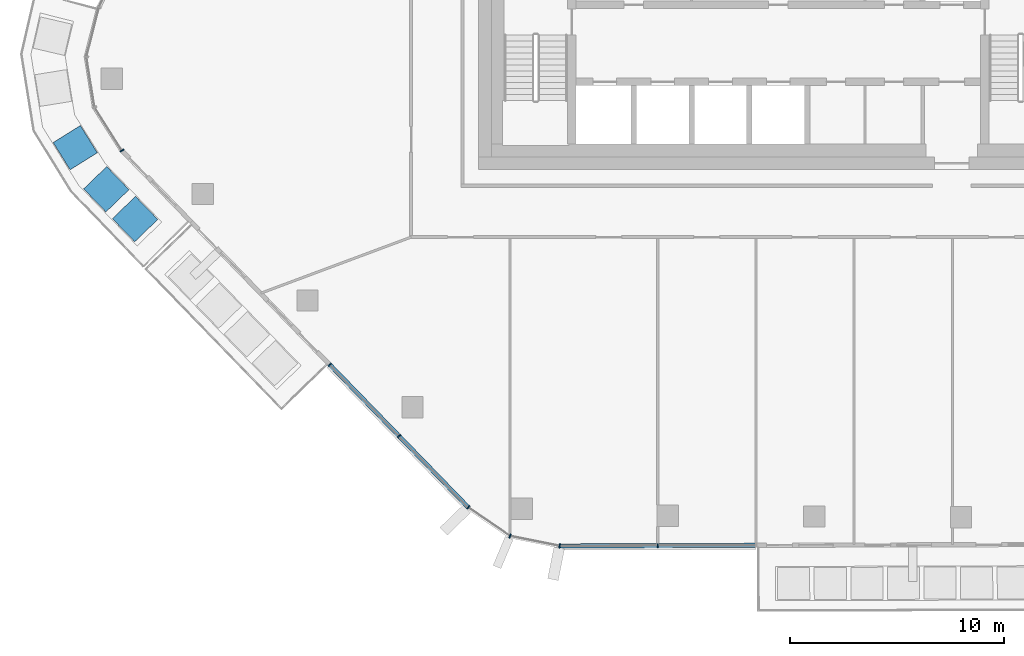
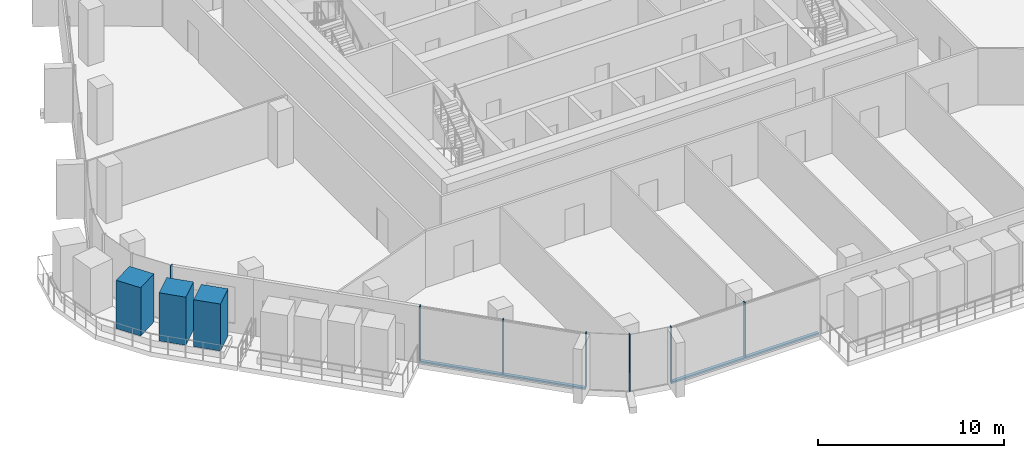
# One storey, part 2 of 24: 12 members, 4 elements without a shape of their own.
"""IFC4 building model written with IfcOpenShell, lengths in metres."""

from ifc_helpers import new_model, si_unit, direction, frame, origin, origin_2d, place, context, subcontext, project, spatial, rectangle, extrude, material, layer, layer_set, material_profile, profile_set, type_object, element, aggregate, save


model = new_model("IFC4")

# Units and contexts
model_context = context("Model", 3, precision=1e-05, world=origin(), true_north=direction((0.0, 1.0)))
body_context = subcontext(model_context, "Body", "Model", "MODEL_VIEW")
ifc_project = project(units=[si_unit("LENGTHUNIT", "METRE"), si_unit("AREAUNIT", "SQUARE_METRE"), si_unit("VOLUMEUNIT", "CUBIC_METRE"), si_unit("PLANEANGLEUNIT", "RADIAN"), si_unit("MASSUNIT", "GRAM", prefix="KILO")], contexts=[model_context])

# Site, building, storey
site_placement = place(None, origin())
site = spatial("IfcSite", under=ifc_project, at=site_placement, CompositionType="ELEMENT")
building_placement = place(site_placement, origin())
building = spatial("IfcBuilding", under=site, at=building_placement, Name="Dongbaek Canopy Tower", CompositionType="ELEMENT")
storey_placement = place(building_placement, frame((0.0, 0.0, 348.800048828125)))
storey = spatial("IfcBuildingStorey", under=building, at=storey_placement, Name="L75", CompositionType="ELEMENT", Elevation=348.800048828125)

# Curtain wall, member
ifc_material_1 = material(Name="Aluminium 6063-T6 pale anodised", Category="aluminium")
ifc_layer = layer(ifc_material_1, 0.199951171875)
ifc_layer_set = layer_set([ifc_layer], Name="CW-1 unitised tower curtain wall")
curtain_wall_type = type_object("IfcCurtainWallType", Name="CW-1 unitised tower curtain wall", PredefinedType="NOTDEFINED", material=ifc_layer_set)
curtain_wall_1_placement = place(storey_placement, origin())
curtain_wall_1 = element("IfcCurtainWall", 1, at=curtain_wall_1_placement, inside=storey, type_object=curtain_wall_type, Name="CW-1 curtain wall K3.1", PredefinedType="NOTDEFINED")
ifc_material_2 = material(Name="Aluminium 6063-T6 pale anodised", Category="aluminium")
ifc_material_profile_1 = material_profile(ifc_material_2, rectangle(XDim=0.199951171875, YDim=0.06005859375, at=origin_2d()), Name="CW-1 mullion 60 x 200")
ifc_profile_set_1 = profile_set([ifc_material_profile_1], Name="Aluminium 6063-T6 pale anodised")
member_type_1 = type_object("IfcMemberType", Name="CW-1 mullion 60 x 200", PredefinedType="MULLION", material=ifc_profile_set_1)
member_1_placement = place(storey_placement, frame((-30.651611328125, -10.109130859375, 0.0), z_axis=(0.0, 0.0, 1.0), x_axis=(-0.843728647148, -0.536769941392, 0.0)))
member_1 = element("IfcMember", 2, at=member_1_placement, type_object=member_type_1, Name="CW-1 mullion K3.1.4", PredefinedType="MULLION", context=body_context, shape_type="SweptSolid", body=[
    extrude(rectangle(XDim=0.199951171875, YDim=0.06005859375, at=origin_2d()), origin(), (0.0, 0.0, 1.0), 3.699951171875),
])
aggregate(curtain_wall_1, [member_1])

# Curtain wall, members
curtain_wall_2_placement = place(storey_placement, origin())
curtain_wall_2 = element("IfcCurtainWall", 3, at=curtain_wall_2_placement, inside=storey, type_object=curtain_wall_type, Name="CW-1 curtain wall F3.1", PredefinedType="NOTDEFINED")
member_2_placement = place(storey_placement, frame((-20.947509765625, -20.110107421875, 0.119873046875), z_axis=(0.0, 0.0, 1.0), x_axis=(-0.717680445859, -0.696372585353, 0.0)))
member_2 = element("IfcMember", 4, at=member_2_placement, type_object=member_type_1, Name="CW-1 mullion F3.1.1", PredefinedType="MULLION", context=body_context, shape_type="SweptSolid", body=[
    extrude(rectangle(XDim=0.199951171875, YDim=0.06005859375, at=origin_2d()), origin(), (0.0, 0.0, 1.0), 3.580078125),
])
member_3_placement = place(storey_placement, frame((-17.71044921875, -23.4462890625, 0.119873046875), z_axis=(0.0, 0.0, 1.0), x_axis=(-0.717680445859, -0.696372585353, 0.0)))
member_3 = element("IfcMember", 5, at=member_3_placement, type_object=member_type_1, Name="CW-1 mullion F3.1.2", PredefinedType="MULLION", context=body_context, shape_type="SweptSolid", body=[
    extrude(rectangle(XDim=0.199951171875, YDim=0.06005859375, at=origin_2d()), origin(), (0.0, 0.0, 1.0), 3.580078125),
])
member_4_placement = place(storey_placement, frame((-14.480224609375, -26.775146484375, 0.119873046875), z_axis=(0.0, 0.0, 1.0), x_axis=(-0.717680445859, -0.696372585353, 0.0)))
member_4 = element("IfcMember", 6, at=member_4_placement, type_object=member_type_1, Name="CW-1 mullion F3.1.3", PredefinedType="MULLION", context=body_context, shape_type="SweptSolid", body=[
    extrude(rectangle(XDim=0.199951171875, YDim=0.06005859375, at=origin_2d()), origin(), (0.0, 0.0, 1.0), 3.580078125),
])

curtain_wall_3_placement = place(storey_placement, origin())
curtain_wall_3 = element("IfcCurtainWall", 7, at=curtain_wall_3_placement, inside=storey, type_object=curtain_wall_type, Name="CW-1 curtain wall K4.1", PredefinedType="NOTDEFINED")
member_5_placement = place(storey_placement, frame((-12.52880859375, -28.109130859375, 0.0), z_axis=(0.0, 0.0, 1.0), x_axis=(-0.388220662236, -0.921566447639, 0.0)))
member_5 = element("IfcMember", 8, at=member_5_placement, type_object=member_type_1, Name="CW-1 mullion K4.1.2", PredefinedType="MULLION", context=body_context, shape_type="SweptSolid", body=[
    extrude(rectangle(XDim=0.199951171875, YDim=0.06005859375, at=origin_2d()), origin(), (0.0, 0.0, 1.0), 3.699951171875),
])
member_6_placement = place(storey_placement, frame((-10.2109375, -28.57373046875, 0.0), z_axis=(0.0, 0.0, 1.0), x_axis=(-0.196529582008, -0.980497895661, 0.0)))
member_6 = element("IfcMember", 9, at=member_6_placement, type_object=member_type_1, Name="CW-1 mullion K4.1.3", PredefinedType="MULLION", context=body_context, shape_type="SweptSolid", body=[
    extrude(rectangle(XDim=0.199951171875, YDim=0.06005859375, at=origin_2d()), origin(), (0.0, 0.0, 1.0), 3.699951171875),
])
aggregate(curtain_wall_3, [member_5, member_6])

# Curtain wall, member
curtain_wall_4_placement = place(storey_placement, origin())
curtain_wall_4 = element("IfcCurtainWall", 10, at=curtain_wall_4_placement, inside=storey, type_object=curtain_wall_type, Name="CW-1 curtain wall F4.1", PredefinedType="NOTDEFINED")
member_7_placement = place(storey_placement, frame((-5.6318359375, -28.559814453125, 0.119873046875), z_axis=(0.0, 0.0, 1.0), x_axis=(0.003065600754, -0.999995301035, 0.0)))
member_7 = element("IfcMember", 11, at=member_7_placement, type_object=member_type_1, Name="CW-1 mullion F4.1.2", PredefinedType="MULLION", context=body_context, shape_type="SweptSolid", body=[
    extrude(rectangle(XDim=0.199951171875, YDim=0.06005859375, at=origin_2d()), origin(), (0.0, 0.0, 1.0), 3.580078125),
])

# Member
ifc_material_3 = material(Name="Aluminium 6063-T6 pale anodised", Category="aluminium")
ifc_material_profile_2 = material_profile(ifc_material_3, rectangle(XDim=0.199951171875, YDim=0.1201171875, at=origin_2d()), Name="CW-1 transom 120 x 200")
ifc_profile_set_2 = profile_set([ifc_material_profile_2], Name="Aluminium 6063-T6 pale anodised")
member_type_2 = type_object("IfcMemberType", Name="CW-1 transom 120 x 200", PredefinedType="USERDEFINED", material=ifc_profile_set_2)
member_8_placement = place(storey_placement, frame((-20.947509765625, -20.110107421875, 0.06005859375), z_axis=(0.696379819379, -0.71767342654, 0.0), x_axis=(0.71767342654, 0.696379819379, 0.0)))
member_8 = element("IfcMember", 12, at=member_8_placement, type_object=member_type_2, Name="CW-1 transom F3.1.1", ObjectType="TRANSOM", PredefinedType="USERDEFINED", context=body_context, shape_type="SweptSolid", body=[
    extrude(rectangle(XDim=0.199951171875, YDim=0.1201171875, at=origin_2d()), origin(), (0.0, 0.0, 1.0), 9.287109375),
])

aggregate(curtain_wall_2, [member_2, member_3, member_4, member_8])

member_9_placement = place(storey_placement, frame((-10.2109375, -28.57373046875, 0.06005859375), z_axis=(0.999995311324, 0.003062242659, 0.0), x_axis=(-0.003062242659, 0.999995311324, 0.0)))
member_9 = element("IfcMember", 13, at=member_9_placement, type_object=member_type_2, Name="CW-1 transom F4.1.1", ObjectType="TRANSOM", PredefinedType="USERDEFINED", context=body_context, shape_type="SweptSolid", body=[
    extrude(rectangle(XDim=0.199951171875, YDim=0.1201171875, at=origin_2d()), origin(), (0.0, 0.0, 1.0), 9.16845703125),
])

aggregate(curtain_wall_4, [member_7, member_9])

# Members
ifc_material_4 = material(Name="Concrete C40/50 planter mass with planting", Category="concrete")
ifc_material_profile_3 = material_profile(ifc_material_4, rectangle(XDim=1.5, YDim=1.5, at=origin_2d()), Name="Terrace PLANTER shrub mass 1500 x 1500")
ifc_profile_set_3 = profile_set([ifc_material_profile_3], Name="Concrete C40/50 planter mass with planting")
member_type_3 = type_object("IfcMemberType", Name="Terrace PLANTER shrub mass 1500 x 1500", PredefinedType="USERDEFINED", material=ifc_profile_set_3)
member_10_placement = place(storey_placement, frame((-32.835205078125, -9.970947265625, 0.419921875), z_axis=(0.0, 0.0, 1.0), x_axis=(-0.848474014985, -0.52923704131, 0.0)))
element("IfcMember", 14, at=member_10_placement, inside=storey, type_object=member_type_3, Name="Planter shrubs L75 7.3", ObjectType="PLANTER", PredefinedType="USERDEFINED", context=body_context, shape_type="SweptSolid", body=[
    extrude(rectangle(XDim=1.5, YDim=1.5, at=origin_2d()), origin(), (0.0, 0.0, 1.0), 3.179931640625),
])
member_11_placement = place(storey_placement, frame((-31.384521484375, -11.914794921875, 0.419921875), z_axis=(0.0, 0.0, 1.0), x_axis=(-0.719254797981, -0.694746382201, 0.0)))
element("IfcMember", 15, at=member_11_placement, inside=storey, type_object=member_type_3, Name="Planter shrubs L75 7.4", ObjectType="PLANTER", PredefinedType="USERDEFINED", context=body_context, shape_type="SweptSolid", body=[
    extrude(rectangle(XDim=1.5, YDim=1.5, at=origin_2d()), origin(), (0.0, 0.0, 1.0), 3.169921875),
])
member_12_placement = place(storey_placement, frame((-30.0400390625, -13.306640625, 0.419921875), z_axis=(0.0, 0.0, 1.0), x_axis=(-0.719254797981, -0.694746382201, 0.0)))
element("IfcMember", 16, at=member_12_placement, inside=storey, type_object=member_type_3, Name="Planter shrubs L75 7.5", ObjectType="PLANTER", PredefinedType="USERDEFINED", context=body_context, shape_type="SweptSolid", body=[
    extrude(rectangle(XDim=1.5, YDim=1.5, at=origin_2d()), origin(), (0.0, 0.0, 1.0), 3.090087890625),
])

save(model, "model.ifc")
